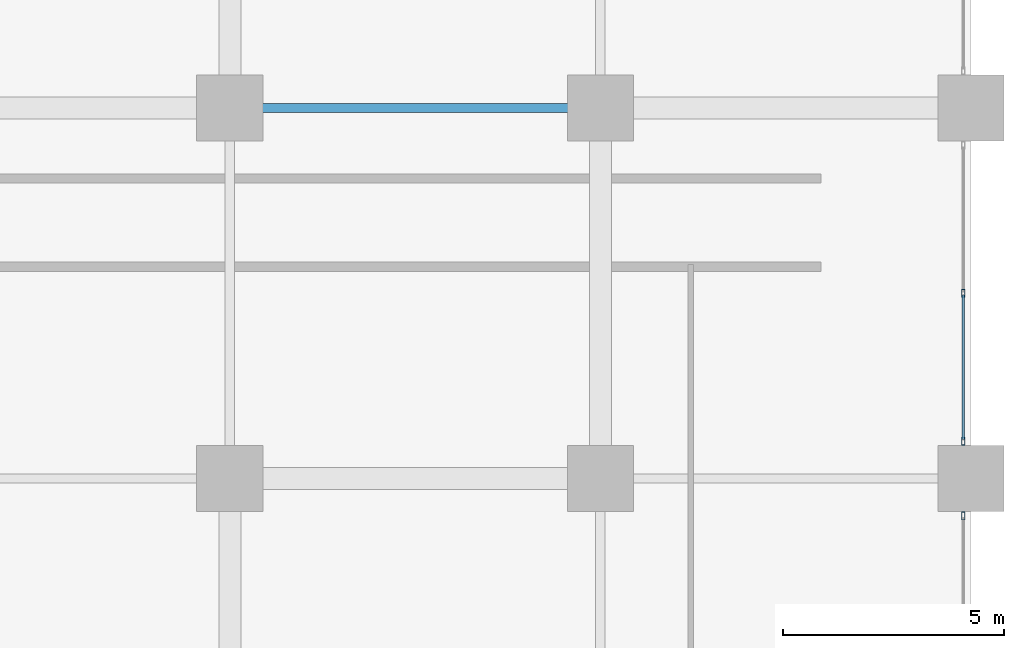
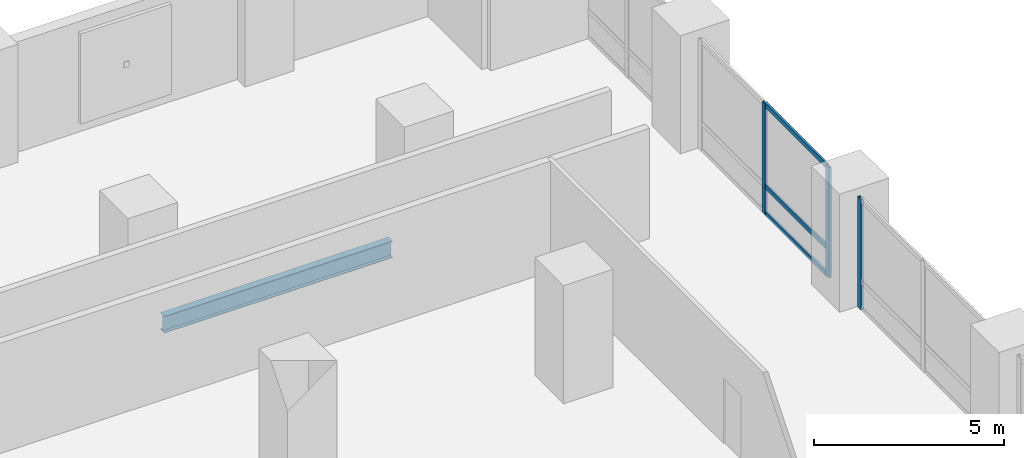
# One storey, part 6 of 27: 6 members, 1 beam, 2 elements without a shape of their own.
"""IFC4 building model written with IfcOpenShell, lengths in metres."""

from ifc_helpers import new_model, si_unit, direction, frame, origin, origin_2d, place, context, subcontext, project, spatial, hollow_rectangle, i_section, extrude, material, layer, layer_set, material_profile, profile_set, type_object, element, aggregate, save


model = new_model("IFC4")

# Units and contexts
model_context = context("Model", 3, precision=1e-05, world=origin(), true_north=direction((0.0, 1.0)))
body_context = subcontext(model_context, "Body", "Model", "MODEL_VIEW")
ifc_project = project(units=[si_unit("LENGTHUNIT", "METRE"), si_unit("AREAUNIT", "SQUARE_METRE"), si_unit("VOLUMEUNIT", "CUBIC_METRE"), si_unit("PLANEANGLEUNIT", "RADIAN"), si_unit("MASSUNIT", "GRAM", prefix="KILO")], contexts=[model_context])

# Site, building, storey
site_placement = place(None, origin())
site = spatial("IfcSite", under=ifc_project, at=site_placement, CompositionType="ELEMENT")
building_placement = place(site_placement, origin())
building = spatial("IfcBuilding", under=site, at=building_placement, Name="Koriwani Terraces Tower", CompositionType="ELEMENT")
storey_placement = place(building_placement, frame((0.0, 0.0, 70.0)))
storey = spatial("IfcBuildingStorey", under=building, at=storey_placement, Name="L16", CompositionType="ELEMENT", Elevation=70.0)

# Curtain wall, members
ifc_material_1 = material(Name="Anodised Bronze Aluminium", Category="aluminium")
ifc_layer = layer(ifc_material_1, 0.179931640625, Name="Anodised Bronze Aluminium")
ifc_layer_set = layer_set([ifc_layer], Name="Anodised Bronze Aluminium")
curtain_wall_type = type_object("IfcCurtainWallType", Name="CW_HOTEL_ZONE1", PredefinedType="NOTDEFINED", material=ifc_layer_set)
curtain_wall_1_placement = place(storey_placement, origin())
curtain_wall_1 = element("IfcCurtainWall", 1, at=curtain_wall_1_placement, inside=storey, type_object=curtain_wall_type, Name="L16 Unitised Curtain Wall (E_TIP) Bay 2", PredefinedType="NOTDEFINED")
ifc_material_profile_1 = material_profile(ifc_material_1, hollow_rectangle(XDim=0.074951171875, YDim=0.179931640625, WallThickness=0.006103515625, at=origin_2d()), Name="Anodised Bronze Aluminium", Category="LoadBearing")
ifc_profile_set_1 = profile_set([ifc_material_profile_1], Name="Anodised Bronze Aluminium")
member_type_1 = type_object("IfcMemberType", Name="CW_MULLION_180X75", PredefinedType="MULLION", material=ifc_profile_set_1)
member_1_placement = place(storey_placement, frame((92.22509765625, 21.0, 0.0), z_axis=(0.0, 0.0, 1.0), x_axis=(1.0, 0.0, 0.0)))
member_1 = element("IfcMember", 2, at=member_1_placement, type_object=member_type_1, Name="CW-Z1 mullion 2", PredefinedType="MULLION", context=body_context, shape_type="SweptSolid", body=[
    extrude(hollow_rectangle(XDim=0.074951171875, YDim=0.179931640625, WallThickness=0.006103515625, at=origin_2d()), origin(), (0.0, 0.0, 1.0), 3.550048828125),
])
member_2_placement = place(storey_placement, frame((92.22509765625, 17.6474609375, 0.0), z_axis=(0.0, 0.0, 1.0), x_axis=(1.0, 0.0, 0.0)))
member_2 = element("IfcMember", 3, at=member_2_placement, type_object=member_type_1, Name="CW-Z1 mullion 3", PredefinedType="MULLION", context=body_context, shape_type="SweptSolid", body=[
    extrude(hollow_rectangle(XDim=0.074951171875, YDim=0.179931640625, WallThickness=0.006103515625, at=origin_2d()), origin(), (0.0, 0.0, 1.0), 3.550048828125),
])

# Curtain wall, member
curtain_wall_2_placement = place(storey_placement, origin())
curtain_wall_2 = element("IfcCurtainWall", 4, at=curtain_wall_2_placement, inside=storey, type_object=curtain_wall_type, Name="L16 Unitised Curtain Wall (E_TIP) Bay 3", PredefinedType="NOTDEFINED")
member_3_placement = place(storey_placement, frame((92.22509765625, 15.952392578125, 0.0), z_axis=(0.0, 0.0, 1.0), x_axis=(1.0, 0.0, 0.0)))
member_3 = element("IfcMember", 5, at=member_3_placement, type_object=member_type_1, Name="CW-Z1 mullion 1", PredefinedType="MULLION", context=body_context, shape_type="SweptSolid", body=[
    extrude(hollow_rectangle(XDim=0.074951171875, YDim=0.179931640625, WallThickness=0.006103515625, at=origin_2d()), origin(), (0.0, 0.0, 1.0), 3.550048828125),
])
aggregate(curtain_wall_2, [member_3])

# Member
ifc_material_profile_2 = material_profile(ifc_material_1, hollow_rectangle(XDim=0.06494140625, YDim=0.14990234375, WallThickness=0.0048828125, at=origin_2d()), Name="Anodised Bronze Aluminium", Category="LoadBearing")
ifc_profile_set_2 = profile_set([ifc_material_profile_2], Name="Anodised Bronze Aluminium")
member_type_2 = type_object("IfcMemberType", Name="CW_TRANSOM_150X65", PredefinedType="USERDEFINED", material=ifc_profile_set_2)
member_4_placement = place(storey_placement, frame((92.22509765625, 20.96240234375, 0.032470703125), z_axis=(0.0, -1.0, 0.0), x_axis=(1.0, 0.0, 0.0)))
member_4 = element("IfcMember", 6, at=member_4_placement, type_object=member_type_2, Name="CW-Z1 transom 2.1", ObjectType="TRANSOM", PredefinedType="USERDEFINED", context=body_context, shape_type="SweptSolid", body=[
    extrude(hollow_rectangle(XDim=0.06494140625, YDim=0.14990234375, WallThickness=0.0048828125, at=origin_2d()), origin(), (0.0, 0.0, 1.0), 3.27734375),
])

member_5_placement = place(storey_placement, frame((92.22509765625, 20.96240234375, 0.89990234375), z_axis=(0.0, -1.0, 0.0), x_axis=(1.0, 0.0, 0.0)))
member_5 = element("IfcMember", 7, at=member_5_placement, type_object=member_type_2, Name="CW-Z1 transom 2.2", ObjectType="TRANSOM", PredefinedType="USERDEFINED", context=body_context, shape_type="SweptSolid", body=[
    extrude(hollow_rectangle(XDim=0.06494140625, YDim=0.14990234375, WallThickness=0.0048828125, at=origin_2d()), origin(), (0.0, 0.0, 1.0), 3.27734375),
])

member_6_placement = place(storey_placement, frame((92.22509765625, 20.96240234375, 3.517578125), z_axis=(0.0, -1.0, 0.0), x_axis=(1.0, 0.0, 0.0)))
member_6 = element("IfcMember", 8, at=member_6_placement, type_object=member_type_2, Name="CW-Z1 transom 2.3", ObjectType="TRANSOM", PredefinedType="USERDEFINED", context=body_context, shape_type="SweptSolid", body=[
    extrude(hollow_rectangle(XDim=0.06494140625, YDim=0.14990234375, WallThickness=0.0048828125, at=origin_2d()), origin(), (0.0, 0.0, 1.0), 3.27734375),
])

aggregate(curtain_wall_1, [member_1, member_2, member_4, member_5, member_6])

# Beam
ifc_material_2 = material(Name="Steel ASTM A572 Grade 50", Category="steel")
ifc_material_profile_3 = material_profile(ifc_material_2, i_section(OverallWidth=0.2119140625, OverallDepth=0.54296875, WebThickness=0.0126953125, FlangeThickness=0.021240234375, at=origin_2d()), Name="Steel ASTM A572 Grade 50", Category="LoadBearing")
ifc_profile_set_3 = profile_set([ifc_material_profile_3], Name="Steel ASTM A572 Grade 50")
beam_type = type_object("IfcBeamType", Name="STEEL_BEAM_W530X150", PredefinedType="BEAM", material=ifc_profile_set_3)
beam_placement = place(storey_placement, frame((76.330078125, 25.199951171875, -0.521484375), z_axis=(1.0, 0.0, 0.0), x_axis=(0.0, 1.0, 0.0)))
element("IfcBeam", 9, at=beam_placement, inside=storey, type_object=beam_type, Name="L16 Grid Beam D (75.6-84.0m)", PredefinedType="BEAM", context=body_context, shape_type="SweptSolid", body=[
    extrude(i_section(OverallWidth=0.2119140625, OverallDepth=0.54296875, WebThickness=0.0126953125, FlangeThickness=0.021240234375, at=origin_2d()), origin(), (0.0, 0.0, 1.0), 6.93994140625),
])

save(model, "model.ifc")
